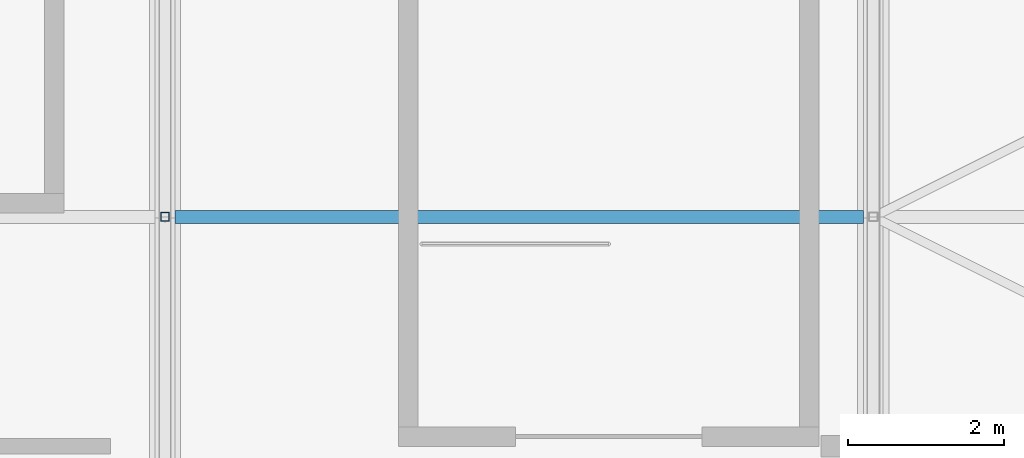
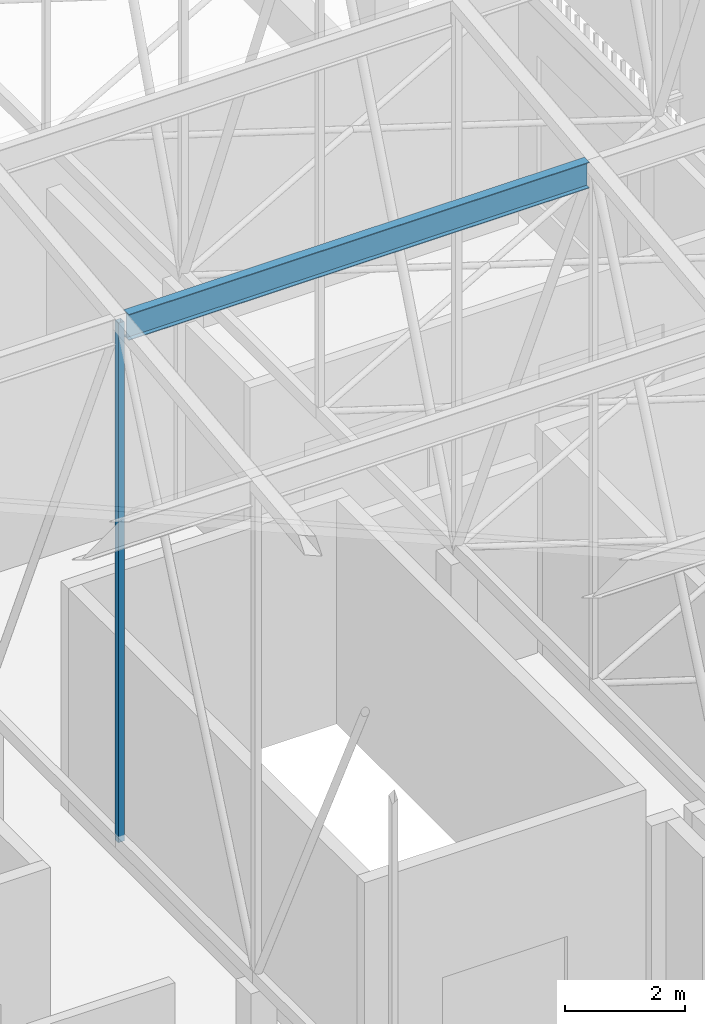
# One storey, part 340 of 500: 2 members.
"""IFC4 building model written with IfcOpenShell, lengths in metres."""

import ifcopenshell
import ifcopenshell.guid

model = None  # the IFC model being written
_history = None  # IfcOwnerHistory: only IFC2X3 demands one
_inside = {}  # id of a spatial element -> (the spatial element, [elements in it])
_under = {}  # id of a project, library or spatial element -> (it, [spatial elements below it])
_declared = {}  # id of a project -> (the project, [libraries it declares])
_typed = {}  # id of a type object -> (the type object, [elements of that type])
_made_of = {}  # id of a material, layer set ... -> (it, [elements and type objects made of it])


def new_model(schema):
    """Start an empty IFC model of exactly this schema.

    Asked for "IFC4X3", IfcOpenShell would pick the latest addendum, in which some entities
    have other attributes; the version numbers below select the first issue.
    IFC2X3 requires an IfcOwnerHistory on every rooted entity: one is made here for all.
    """
    global model, _history
    if schema == "IFC4X3":
        model = ifcopenshell.file(schema_version=(4, 3, 0, 0))
    else:
        model = ifcopenshell.file(schema=schema)
    _inside.clear()
    _under.clear()
    _declared.clear()
    _typed.clear()
    _made_of.clear()
    _history = None
    if model.schema == "IFC2X3":
        org = make("IfcOrganization", Name="unknown")
        user = make(
            "IfcPersonAndOrganization",
            ThePerson=make("IfcPerson", FamilyName="unknown"),
            TheOrganization=org,
        )
        app = make(
            "IfcApplication",
            ApplicationDeveloper=org,
            Version="unknown",
            ApplicationFullName="unknown",
            ApplicationIdentifier="unknown",
        )
        _history = make(
            "IfcOwnerHistory",
            OwningUser=user,
            OwningApplication=app,
            ChangeAction="ADDED",
            CreationDate=0,
        )
    return model


def make(cls, **values):
    """One entity of the class cls with the attributes given. An attribute that is None is left unset."""
    return model.create_entity(
        cls, **{name: value for name, value in values.items() if value is not None}
    )


def rooted(cls, **values):
    """An entity with a GlobalId (a new one), such as an element, a storey or a relation."""
    return make(cls, GlobalId=ifcopenshell.guid.new(), OwnerHistory=_history, **values)


def si_unit(unit_type, name, prefix=None):
    """IfcSIUnit, for example si_unit("LENGTHUNIT", "METRE", prefix="MILLI")."""
    return make("IfcSIUnit", UnitType=unit_type, Prefix=prefix, Name=name)


def assignment(units):
    """IfcUnitAssignment: the units of a project."""
    return None if units is None else make("IfcUnitAssignment", Units=units)


def point(xyz):
    """IfcCartesianPoint."""
    return None if xyz is None else make("IfcCartesianPoint", Coordinates=xyz)


def direction(xyz):
    """IfcDirection."""
    return None if xyz is None else make("IfcDirection", DirectionRatios=xyz)


def frame(location, z_axis=None, x_axis=None):
    """IfcAxis2Placement3D, a coordinate frame: its origin and axes. An axis left out is left unset."""
    return make(
        "IfcAxis2Placement3D",
        Location=point(location),
        Axis=direction(z_axis),
        RefDirection=direction(x_axis),
    )


def frame_2d(location, x_axis=None):
    """IfcAxis2Placement2D, a coordinate frame in the plane: its origin and x axis."""
    return make(
        "IfcAxis2Placement2D", Location=point(location), RefDirection=direction(x_axis)
    )


def origin():
    """The frame at (0, 0, 0) with its axes left unset."""
    return frame((0.0, 0.0, 0.0))


def origin_2d():
    """The frame at (0, 0) in the plane with its x axis left unset."""
    return frame_2d((0.0, 0.0))


def place(relative_to, where):
    """IfcLocalPlacement: puts the frame where relative to a parent placement (None: the world)."""
    return make(
        "IfcLocalPlacement", PlacementRelTo=relative_to, RelativePlacement=where
    )


def context(
    kind, dimensions, precision=None, world=None, true_north=None, identifier=None
):
    """IfcGeometricRepresentationContext, for example the 3D "Model" context."""
    return make(
        "IfcGeometricRepresentationContext",
        ContextIdentifier=identifier,
        ContextType=kind,
        CoordinateSpaceDimension=dimensions,
        Precision=precision,
        WorldCoordinateSystem=world,
        TrueNorth=true_north,
    )


def subcontext(parent, identifier, kind, view, scale=None):
    """IfcGeometricRepresentationSubContext, for example "Body" below "Model"."""
    return make(
        "IfcGeometricRepresentationSubContext",
        ContextIdentifier=identifier,
        ContextType=kind,
        ParentContext=parent,
        TargetScale=scale,
        TargetView=view,
    )


def project(units=None, contexts=None):
    """IfcProject with its units and contexts."""
    return rooted(
        "IfcProject",
        Name="project",
        RepresentationContexts=contexts,
        UnitsInContext=assignment(units),
    )


def spatial(cls, under=None, at=None, **own):
    """A site, building, storey or space (cls), placed at a placement, below another one or the project."""
    s = rooted(cls, ObjectPlacement=at, **own)
    if under is not None:
        _under.setdefault(under.id(), (under, []))[1].append(s)
    return s


def profile(cls, at=None, kind="AREA", **sizes):
    """A parametric profile (cls). Its sizes go by their IFC names, for example OverallWidth=200.0."""
    return make(cls, ProfileType=kind, Position=at, **sizes)


def hollow_rectangle(**sizes):
    """IfcRectangleHollowProfileDef."""
    return profile("IfcRectangleHollowProfileDef", **sizes)


def i_section(**sizes):
    """IfcIShapeProfileDef."""
    return profile("IfcIShapeProfileDef", **sizes)


def extrude(swept, where, along, depth):
    """IfcExtrudedAreaSolid: the profile swept, set in the frame where, extruded along a direction by depth."""
    return make(
        "IfcExtrudedAreaSolid",
        SweptArea=swept,
        Position=where,
        ExtrudedDirection=direction(along),
        Depth=depth,
    )


def shape(context_of_items, identifier, shape_type, items):
    """IfcShapeRepresentation: the items that make up one representation, for example the "Body"."""
    return make(
        "IfcShapeRepresentation",
        ContextOfItems=context_of_items,
        RepresentationIdentifier=identifier,
        RepresentationType=shape_type,
        Items=items,
    )


def material(Name=None, Category=None):
    """IfcMaterial."""
    return make("IfcMaterial", Name=Name, Category=Category)


def material_profile(
    of_material, cross_section, Name=None, Category=None, Priority=None
):
    """IfcMaterialProfile: a cross section and its material."""
    return make(
        "IfcMaterialProfile",
        Name=Name,
        Material=of_material,
        Profile=cross_section,
        Priority=Priority,
        Category=Category,
    )


def profile_set(profiles, Name=None, composite=None):
    """IfcMaterialProfileSet."""
    return make(
        "IfcMaterialProfileSet",
        Name=Name,
        MaterialProfiles=profiles,
        CompositeProfile=composite,
    )


def made_of(thing, what):
    """Note that an element or type object is made of a material, layer set ...; save() writes the relation."""
    if what is not None:
        _made_of.setdefault(what.id(), (what, []))[1].append(thing)
    return thing


def type_object(cls, material=None, **own):
    """A type object (cls), such as IfcWallType, which elements share."""
    return made_of(rooted(cls, **own), material)


def element(
    cls,
    number,
    at=None,
    inside=None,
    cuts=None,
    type_object=None,
    material=None,
    context=None,
    identifier="Body",
    shape_type=None,
    held_by="IfcProductDefinitionShape",
    body=None,
    shapes=None,
    **own,
):
    """One element of the class cls, such as IfcWall. Its Tag is "e" and its number.

    at: its placement. inside: the storey or other place that contains it. cuts: it is an
    opening in that element (IfcRelVoidsElement). A single representation is given by context,
    identifier, shape_type and body (its items); several are given by shapes. held_by: the class
    of the entity that holds the representations. save() writes the other relations.
    """
    e = rooted(cls, Tag="e%d" % number, ObjectPlacement=at, **own)
    if body is not None:
        shapes = [shape(context, identifier, shape_type, body)]
    if shapes is not None:
        e.Representation = make(held_by, Representations=shapes)
    if inside is not None:
        _inside.setdefault(inside.id(), (inside, []))[1].append(e)
    if cuts is not None:
        rooted(
            "IfcRelVoidsElement", RelatingBuildingElement=cuts, RelatedOpeningElement=e
        )
    if type_object is not None:
        _typed.setdefault(type_object.id(), (type_object, []))[1].append(e)
    return made_of(e, material)


def aggregate(whole, parts):
    """IfcRelAggregates: a whole, such as a stair, and the parts it consists of."""
    return rooted("IfcRelAggregates", RelatingObject=whole, RelatedObjects=parts)


def save(model, path):
    """Write the relations noted so far, then the file.

    IfcRelAggregates (storeys below a building ...), IfcRelContainedInSpatialStructure (elements
    in a storey), IfcRelDefinesByType, IfcRelAssociatesMaterial and IfcRelDeclares: one each for
    every whole, place, type object, material and project.
    """
    for whole, parts in _under.values():
        aggregate(whole, parts)
    for where, things in _inside.values():
        rooted(
            "IfcRelContainedInSpatialStructure",
            RelatedElements=things,
            RelatingStructure=where,
        )
    for kind, things in _typed.values():
        rooted("IfcRelDefinesByType", RelatedObjects=things, RelatingType=kind)
    for what, things in _made_of.values():
        rooted("IfcRelAssociatesMaterial", RelatedObjects=things, RelatingMaterial=what)
    for by, libraries in _declared.values():
        rooted("IfcRelDeclares", RelatingContext=by, RelatedDefinitions=libraries)
    model.write(path)


model = new_model("IFC4")

# Units and contexts
model_context = context("Model", 3, precision=1e-05, world=origin(), true_north=direction((0.0, 1.0)))
body_context = subcontext(model_context, "Body", "Model", "MODEL_VIEW")
ifc_project = project(units=[si_unit("LENGTHUNIT", "METRE"), si_unit("AREAUNIT", "SQUARE_METRE"), si_unit("VOLUMEUNIT", "CUBIC_METRE"), si_unit("PLANEANGLEUNIT", "RADIAN"), si_unit("MASSUNIT", "GRAM", prefix="KILO")], contexts=[model_context])

# Site, building, storey
site_placement = place(None, origin())
site = spatial("IfcSite", under=ifc_project, at=site_placement, CompositionType="ELEMENT")
building_placement = place(site_placement, origin())
building = spatial("IfcBuilding", under=site, at=building_placement, Name="Shirokan Park Arena", CompositionType="ELEMENT")
storey_placement = place(building_placement, frame((0.0, 0.0, 29.1201171875)))
storey = spatial("IfcBuildingStorey", under=building, at=storey_placement, Name="L06", CompositionType="ELEMENT", Elevation=29.1201171875)

# Members
ifc_material_1 = material(Name="Steel ASTM A992", Category="steel")
ifc_material_profile_1 = material_profile(ifc_material_1, i_section(OverallWidth=0.166015625, OverallDepth=0.528076171875, WebThickness=0.009765625, FlangeThickness=0.013671875, at=origin_2d()), Name="W530X74")
ifc_profile_set_1 = profile_set([ifc_material_profile_1], Name="Steel ASTM A992")
member_type_1 = type_object("IfcMemberType", Name="Purlin W530X74", PredefinedType="PURLIN", material=ifc_profile_set_1)
member_1_placement = place(storey_placement, frame((127.527099609375, 22.75, 15.0859375), z_axis=(1.0, 0.0, 0.0), x_axis=(0.0, 1.0, 0.0)))
element("IfcMember", 1, at=member_1_placement, inside=storey, type_object=member_type_1, Name="Purlin 8 bay 15", PredefinedType="PURLIN", context=body_context, shape_type="SweptSolid", body=[
    extrude(i_section(OverallWidth=0.166015625, OverallDepth=0.528076171875, WebThickness=0.009765625, FlangeThickness=0.013671875, at=origin_2d()), origin(), (0.0, 0.0, 1.0), 8.845947265625),
])
ifc_material_2 = material(Name="Steel ASTM A500 Grade C", Category="steel")
ifc_material_profile_2 = material_profile(ifc_material_2, hollow_rectangle(XDim=0.114013671875, YDim=0.114013671875, WallThickness=0.00634765625, at=origin_2d()), Name="HSS114.3X114.3X6.4")
ifc_profile_set_2 = profile_set([ifc_material_profile_2], Name="Steel ASTM A500 Grade C")
member_type_2 = type_object("IfcMemberType", Name="Truss post HSS114.3X114.3X6.4", PredefinedType="POST", material=ifc_profile_set_2)
member_2_placement = place(storey_placement, frame((127.39990234375, 22.75, 4.677001953125), z_axis=(0.0, 0.0, 1.0), x_axis=(1.0, 0.0, 0.0)))
element("IfcMember", 2, at=member_2_placement, inside=storey, type_object=member_type_2, Name="Truss T15 post 8", PredefinedType="POST", context=body_context, shape_type="SweptSolid", body=[
    extrude(hollow_rectangle(XDim=0.114013671875, YDim=0.114013671875, WallThickness=0.00634765625, at=origin_2d()), origin(), (0.0, 0.0, 1.0), 10.5458984375),
])

save(model, "model.ifc")
